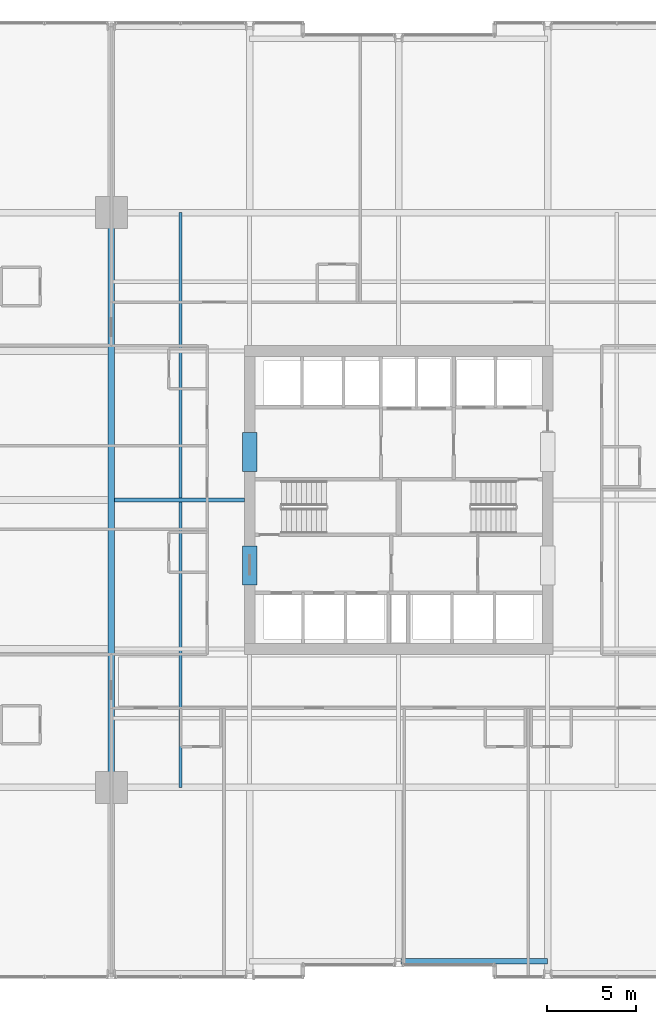
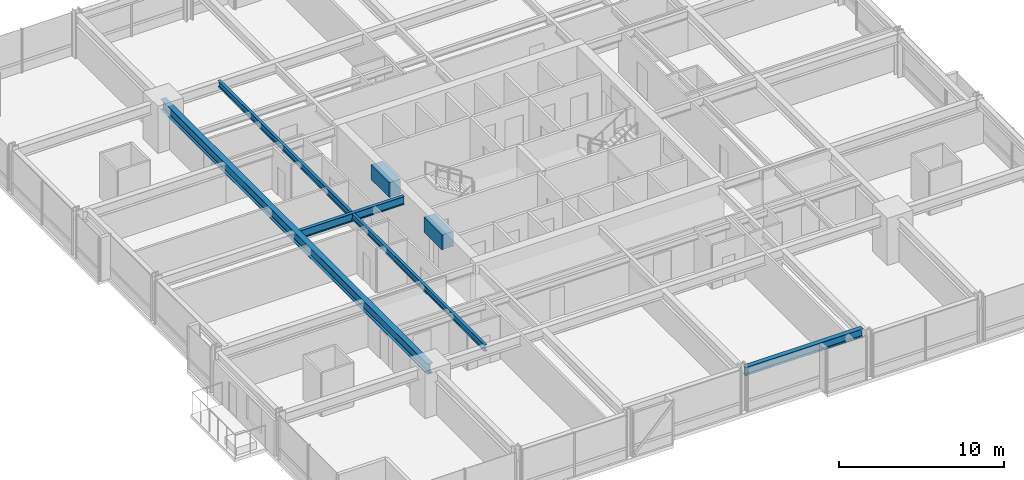
# One storey, part 10 of 37: 6 beams.
"""IFC4 building model written with IfcOpenShell, lengths in metres."""

from ifc_helpers import new_model, si_unit, direction, frame, origin, origin_2d, place, context, subcontext, project, spatial, rectangle, i_section, extrude, material, material_profile, profile_set, type_object, element, save


model = new_model("IFC4")

# Units and contexts
model_context = context("Model", 3, precision=1e-05, world=origin(), true_north=direction((0.0, 1.0)))
body_context = subcontext(model_context, "Body", "Model", "MODEL_VIEW")
ifc_project = project(units=[si_unit("LENGTHUNIT", "METRE"), si_unit("AREAUNIT", "SQUARE_METRE"), si_unit("VOLUMEUNIT", "CUBIC_METRE"), si_unit("PLANEANGLEUNIT", "RADIAN"), si_unit("MASSUNIT", "GRAM", prefix="KILO")], contexts=[model_context])

# Site, building, storey
site_placement = place(None, origin())
site = spatial("IfcSite", under=ifc_project, at=site_placement, CompositionType="ELEMENT")
building_placement = place(site_placement, origin())
building = spatial("IfcBuilding", under=site, at=building_placement, Name="Drelvath Grand Hotel", CompositionType="ELEMENT")
storey_placement = place(building_placement, frame((0.0, 0.0, 75.199951171875)))
storey = spatial("IfcBuildingStorey", under=building, at=storey_placement, Name="L18", CompositionType="ELEMENT", Elevation=75.199951171875)

# Beams
ifc_material_1 = material(Name="Steel ASTM A992 Gr 50", Category="steel")
ifc_material_profile_1 = material_profile(ifc_material_1, i_section(OverallWidth=0.19140625, OverallDepth=0.4599609375, WebThickness=0.010009765625, FlangeThickness=0.01611328125, FilletRadius=0.01611328125, at=origin_2d()), Name="W18X55")
ifc_profile_set_1 = profile_set([ifc_material_profile_1], Name="Steel ASTM A992 Gr 50")
beam_type_1 = type_object("IfcBeamType", Name="Composite Floor Joist W18X55", PredefinedType="JOIST", material=ifc_profile_set_1)
beam_1_placement = place(storey_placement, frame((-12.300048828125, 10.800048828125, 3.010009765625), z_axis=(0.0, 1.0, 0.0), x_axis=(-1.0, 0.0, 0.0)))
element("IfcBeam", 1, at=beam_1_placement, inside=storey, type_object=beam_type_1, Name="L18 Wing Floor Joist J3", PredefinedType="JOIST", context=body_context, shape_type="SweptSolid", body=[
    extrude(i_section(OverallWidth=0.19140625, OverallDepth=0.4599609375, WebThickness=0.010009765625, FlangeThickness=0.01611328125, FilletRadius=0.01611328125, at=origin_2d()), origin(), (0.0, 0.0, 1.0), 32.39990234375),
])
ifc_material_2 = material(Name="Concrete f'c 70 MPa", Category="concrete")
ifc_material_profile_2 = material_profile(ifc_material_2, rectangle(XDim=0.800048828125, YDim=1.10009765625, at=origin_2d()), Name="CB800X1100")
ifc_profile_set_2 = profile_set([ifc_material_profile_2], Name="Concrete f'c 70 MPa")
beam_type_2 = type_object("IfcBeamType", Name="Core Coupling Lintel CB800X1100", PredefinedType="LINTEL", material=ifc_profile_set_2)
for number, where, z_axis, x_axis, name in (
    (2, (-8.39990234375, 22.199951171875, 2.68994140625), (0.0, 1.0, 0.0), (-1.0, 0.0, 0.0), "L18 Core Coupling Lintel WS"),
    (3, (-8.39990234375, 28.60009765625, 2.68994140625), (0.0, 1.0, 0.0), (-1.0, 0.0, 0.0), "L18 Core Coupling Lintel WN"),
):
    element("IfcBeam", number, at=place(storey_placement, frame(where, z_axis=z_axis, x_axis=x_axis)), inside=storey, type_object=beam_type_2, Name=name, PredefinedType="LINTEL", context=body_context, shape_type="SweptSolid", body=[
        extrude(rectangle(XDim=0.800048828125, YDim=1.10009765625, at=origin_2d()), origin(), (0.0, 0.0, 1.0), 2.199951171875),
    ])
ifc_material_profile_3 = material_profile(ifc_material_1, i_section(OverallWidth=0.323974609375, OverallDepth=0.611083984375, WebThickness=0.0126953125, FlangeThickness=0.01904296875, FilletRadius=0.02197265625, at=origin_2d()), Name="W24X104")
ifc_profile_set_3 = profile_set([ifc_material_profile_3], Name="Steel ASTM A992 Gr 50")
beam_type_3 = type_object("IfcBeamType", Name="Perimeter Spandrel Beam W24X104", PredefinedType="SPANDREL", material=ifc_profile_set_3)
beam_2_placement = place(storey_placement, frame((0.139892578125, 1.0, 2.9345703125), z_axis=(1.0, 0.0, 0.0), x_axis=(0.0, 1.0, 0.0)))
element("IfcBeam", 4, at=beam_2_placement, inside=storey, type_object=beam_type_3, Name="L18 Spandrel South Mid E", PredefinedType="SPANDREL", context=body_context, shape_type="SweptSolid", body=[
    extrude(i_section(OverallWidth=0.323974609375, OverallDepth=0.611083984375, WebThickness=0.0126953125, FlangeThickness=0.01904296875, FilletRadius=0.02197265625, at=origin_2d()), origin(), (0.0, 0.0, 1.0), 8.260009765625),
])
ifc_material_profile_4 = material_profile(ifc_material_1, i_section(OverallWidth=0.228271484375, OverallDepth=0.607666015625, WebThickness=0.01123046875, FlangeThickness=0.017333984375, FilletRadius=0.02001953125, at=origin_2d()), Name="W24X76")
ifc_profile_set_4 = profile_set([ifc_material_profile_4], Name="Steel ASTM A992 Gr 50")
beam_type_4 = type_object("IfcBeamType", Name="Primary Floor Girder W24X76", PredefinedType="BEAM", material=ifc_profile_set_4)
beam_3_placement = place(storey_placement, frame((-16.009765625, 27.0, 2.936279296875), z_axis=(1.0, 0.0, 0.0), x_axis=(0.0, 1.0, 0.0)))
element("IfcBeam", 5, at=beam_3_placement, inside=storey, type_object=beam_type_4, Name="L18 West Core Tie E", PredefinedType="BEAM", context=body_context, shape_type="SweptSolid", body=[
    extrude(i_section(OverallWidth=0.228271484375, OverallDepth=0.607666015625, WebThickness=0.01123046875, FlangeThickness=0.017333984375, FilletRadius=0.02001953125, at=origin_2d()), origin(), (0.0, 0.0, 1.0), 7.309814453125),
])
ifc_material_profile_5 = material_profile(ifc_material_1, i_section(OverallWidth=0.380615234375, OverallDepth=0.773193359375, WebThickness=0.0166015625, FlangeThickness=0.027099609375, FilletRadius=0.02490234375, at=origin_2d()), Name="W30X173")
ifc_profile_set_5 = profile_set([ifc_material_profile_5], Name="Steel ASTM A992 Gr 50")
beam_type_5 = type_object("IfcBeamType", Name="Primary Floor Girder W30X173", PredefinedType="BEAM", material=ifc_profile_set_5)
beam_4_placement = place(storey_placement, frame((-16.199951171875, 10.800048828125, 2.853515625), z_axis=(0.0, 1.0, 0.0), x_axis=(-1.0, 0.0, 0.0)))
element("IfcBeam", 6, at=beam_4_placement, inside=storey, type_object=beam_type_5, Name="L18 Mega Ring Girder West", PredefinedType="BEAM", context=body_context, shape_type="SweptSolid", body=[
    extrude(i_section(OverallWidth=0.380615234375, OverallDepth=0.773193359375, WebThickness=0.0166015625, FlangeThickness=0.027099609375, FilletRadius=0.02490234375, at=origin_2d()), origin(), (0.0, 0.0, 1.0), 32.39990234375),
])

save(model, "model.ifc")
